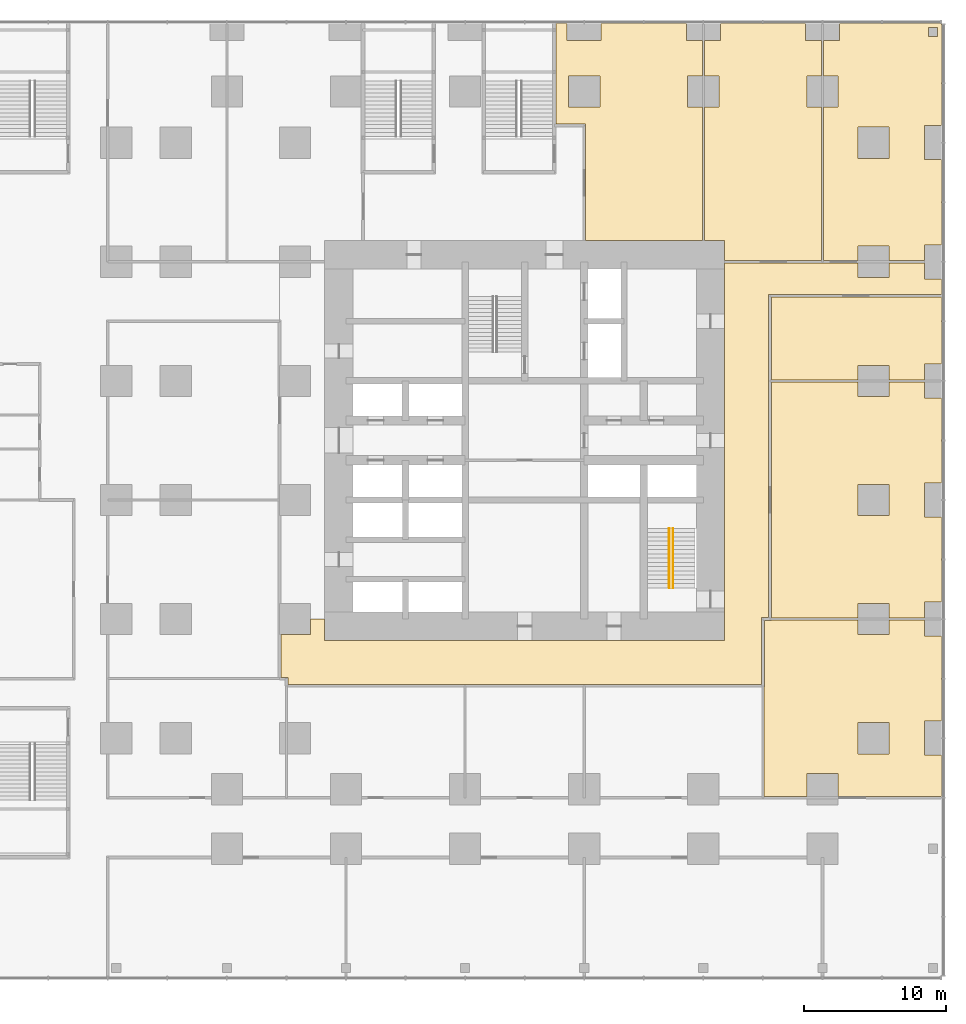
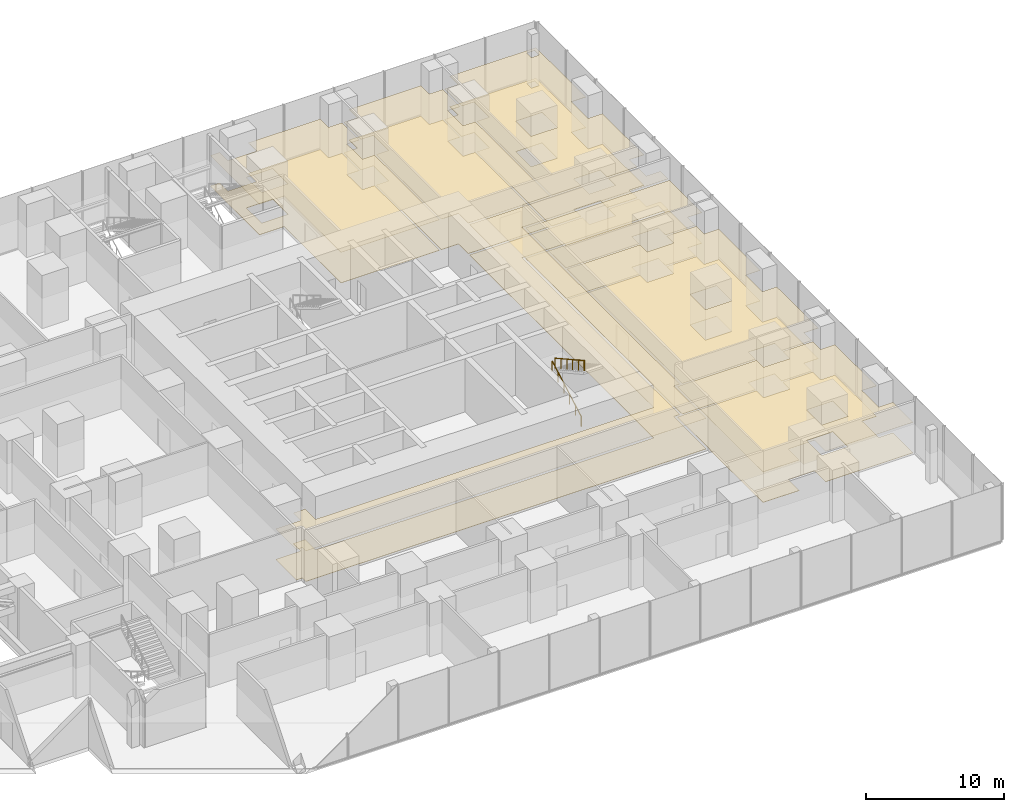
# One storey, part 33 of 33: 14 coverings, 2 railings.
"""IFC4 building model written with IfcOpenShell, lengths in metres."""

from ifc_helpers import new_model, si_unit, direction, frame, origin, origin_2d, place, context, subcontext, project, spatial, polyline, circle, outline, extrude, material, layer, layer_set, type_object, element, save


model = new_model("IFC4")

# Units and contexts
model_context = context("Model", 3, precision=1e-05, world=origin(), true_north=direction((0.0, 1.0)))
body_context = subcontext(model_context, "Body", "Model", "MODEL_VIEW")
ifc_project = project(units=[si_unit("LENGTHUNIT", "METRE"), si_unit("AREAUNIT", "SQUARE_METRE"), si_unit("VOLUMEUNIT", "CUBIC_METRE"), si_unit("PLANEANGLEUNIT", "RADIAN"), si_unit("MASSUNIT", "GRAM", prefix="KILO")], contexts=[model_context])

# Site, building, storey
site_placement = place(None, origin())
site = spatial("IfcSite", under=ifc_project, at=site_placement, CompositionType="ELEMENT")
building_placement = place(site_placement, origin())
building = spatial("IfcBuilding", under=site, at=building_placement, Name="Dunama Terrace Hotel", CompositionType="ELEMENT")
storey_placement = place(building_placement, frame((0.0, 0.0, 12.0)))
storey = spatial("IfcBuildingStorey", under=building, at=storey_placement, Name="L02", CompositionType="ELEMENT", Elevation=12.0)

# Railings
ifc_material_1 = material(Name="Stainless steel handrail", Category="steel")
railing_type = type_object("IfcRailingType", Name="Stair handrail 900", PredefinedType="HANDRAIL", material=ifc_material_1)
railing_1_placement = place(storey_placement, frame((39.60009765625, 19.0, 0.166748046875)))
element("IfcRailing", 1, at=railing_1_placement, inside=storey, type_object=railing_type, Name="Handrail ST2 L02", PredefinedType="HANDRAIL", context=body_context, shape_type="SweptSolid", body=[
    extrude(circle(Radius=0.02392578125, at=origin_2d()), frame((0.0, 0.0, 0.8759765625), z_axis=(0.0, 0.874162069901, 0.485634302275), x_axis=(-1.0, 0.0, 0.0)), (0.0, 0.0, 1.0), 4.804443359375),
    extrude(circle(Radius=0.02099609375, at=origin_2d()), origin(), (0.0, 0.0, 1.0), 0.851806640625),
    extrude(circle(Radius=0.02099609375, at=origin_2d()), frame((0.0, 0.840087890625, 0.466552734375)), (0.0, 0.0, 1.0), 0.851806640625),
    extrude(circle(Radius=0.02099609375, at=origin_2d()), frame((0.0, 1.679931640625, 0.933349609375)), (0.0, 0.0, 1.0), 0.851806640625),
    extrude(circle(Radius=0.02099609375, at=origin_2d()), frame((0.0, 2.52001953125, 1.39990234375)), (0.0, 0.0, 1.0), 0.851806640625),
    extrude(circle(Radius=0.02099609375, at=origin_2d()), frame((0.0, 3.35986328125, 1.86669921875)), (0.0, 0.0, 1.0), 0.851806640625),
    extrude(circle(Radius=0.02099609375, at=origin_2d()), frame((0.0, 4.199951171875, 2.333251953125)), (0.0, 0.0, 1.0), 0.851806640625),
])
railing_2_placement = place(storey_placement, frame((39.85009765625, 23.199951171875, 2.666748046875)))
element("IfcRailing", 2, at=railing_2_placement, inside=storey, type_object=railing_type, Name="Handrail ST2 L02", PredefinedType="HANDRAIL", context=body_context, shape_type="SweptSolid", body=[
    extrude(circle(Radius=0.02392578125, at=origin_2d()), frame((0.0, 0.0, 0.8759765625), z_axis=(0.0, -0.874162069901, 0.485634302275), x_axis=(1.0, 0.0, 0.0)), (0.0, 0.0, 1.0), 4.804443359375),
    extrude(circle(Radius=0.02099609375, at=origin_2d()), origin(), (0.0, 0.0, 1.0), 0.851806640625),
    extrude(circle(Radius=0.02099609375, at=origin_2d()), frame((0.0, -0.840087890625, 0.466552734375)), (0.0, 0.0, 1.0), 0.851806640625),
    extrude(circle(Radius=0.02099609375, at=origin_2d()), frame((0.0, -1.679931640625, 0.933349609375)), (0.0, 0.0, 1.0), 0.851806640625),
    extrude(circle(Radius=0.02099609375, at=origin_2d()), frame((0.0, -2.52001953125, 1.39990234375)), (0.0, 0.0, 1.0), 0.851806640625),
    extrude(circle(Radius=0.02099609375, at=origin_2d()), frame((0.0, -3.35986328125, 1.86669921875)), (0.0, 0.0, 1.0), 0.851806640625),
    extrude(circle(Radius=0.02099609375, at=origin_2d()), frame((0.0, -4.199951171875, 2.333251953125)), (0.0, 0.0, 1.0), 0.851806640625),
])

# Coverings
ifc_material_2 = material(Name="Natural stone floor tiles", Category="masonry")
ifc_layer_1 = layer(ifc_material_2, 0.030029296875)
ifc_layer_set_1 = layer_set([ifc_layer_1], Name="Stone floor finish 30")
covering_type_1 = type_object("IfcCoveringType", Name="Stone floor finish 30", PredefinedType="FLOORING", material=ifc_layer_set_1)
covering_1_placement = place(storey_placement, origin())
element("IfcCovering", 3, at=covering_1_placement, inside=storey, type_object=covering_type_1, Name="Floor finish L02-26", PredefinedType="FLOORING", context=body_context, shape_type="SweptSolid", body=[
    extrude(outline(polyline([(32.39990234375, 58.800048828125), (31.625, 58.800048828125), (31.625, 51.699951171875), (33.5, 51.699951171875), (33.60009765625, 51.699951171875), (33.699951171875, 51.699951171875), (33.699951171875, 51.5), (33.699951171875, 43.5), (41.5, 43.5), (41.925048828125, 43.5), (41.925048828125, 52.89990234375), (40.89990234375, 52.89990234375), (40.89990234375, 55.10009765625), (41.925048828125, 55.10009765625), (41.925048828125, 57.60009765625), (40.800048828125, 57.60009765625), (40.800048828125, 58.800048828125), (34.800048828125, 58.800048828125), (34.800048828125, 57.60009765625), (32.39990234375, 57.60009765625), (32.39990234375, 58.800048828125)]), holes=[polyline([(34.699951171875, 55.10009765625), (34.699951171875, 52.89990234375), (32.5, 52.89990234375), (32.5, 55.10009765625), (34.699951171875, 55.10009765625)])]), origin(), (0.0, 0.0, 1.0), 0.030029296875),
])
covering_2_placement = place(storey_placement, origin())
element("IfcCovering", 4, at=covering_2_placement, inside=storey, type_object=covering_type_1, Name="Floor finish L02-27", PredefinedType="FLOORING", context=body_context, shape_type="SweptSolid", body=[
    extrude(outline(polyline([(49.199951171875, 58.800048828125), (43.199951171875, 58.800048828125), (43.199951171875, 57.60009765625), (42.074951171875, 57.60009765625), (42.074951171875, 55.10009765625), (43.10009765625, 55.10009765625), (43.10009765625, 52.89990234375), (42.074951171875, 52.89990234375), (42.074951171875, 43.5), (42.5, 43.5), (43.5, 43.5), (43.5, 42.10009765625), (50.324951171875, 42.10009765625), (50.324951171875, 52.89990234375), (49.300048828125, 52.89990234375), (49.300048828125, 55.10009765625), (50.324951171875, 55.10009765625), (50.324951171875, 57.60009765625), (49.199951171875, 57.60009765625), (49.199951171875, 58.800048828125)])), origin(), (0.0, 0.0, 1.0), 0.030029296875),
])
covering_3_placement = place(storey_placement, origin())
element("IfcCovering", 5, at=covering_3_placement, inside=storey, type_object=covering_type_1, Name="Floor finish L02-28", PredefinedType="FLOORING", context=body_context, shape_type="SweptSolid", body=[
    extrude(outline(polyline([(58.800048828125, 58.800048828125), (51.60009765625, 58.800048828125), (51.60009765625, 57.60009765625), (50.47509765625, 57.60009765625), (50.47509765625, 55.10009765625), (51.5, 55.10009765625), (51.5, 52.89990234375), (50.47509765625, 52.89990234375), (50.47509765625, 42.10009765625), (52.89990234375, 42.10009765625), (52.89990234375, 43.10009765625), (55.10009765625, 43.10009765625), (55.10009765625, 42.10009765625), (57.60009765625, 42.10009765625), (57.60009765625, 43.199951171875), (58.800048828125, 43.199951171875), (58.800048828125, 49.199951171875), (57.60009765625, 49.199951171875), (57.60009765625, 51.60009765625), (58.800048828125, 51.60009765625), (58.800048828125, 58.800048828125)]), holes=[polyline([(55.10009765625, 51.5), (55.10009765625, 49.300048828125), (52.89990234375, 49.300048828125), (52.89990234375, 51.5), (55.10009765625, 51.5)]), polyline([(58.52490234375, 58.52490234375), (58.52490234375, 57.875), (57.875, 57.875), (57.875, 58.52490234375), (58.52490234375, 58.52490234375)])]), origin(), (0.0, 0.0, 1.0), 0.030029296875),
])
covering_4_placement = place(storey_placement, origin())
element("IfcCovering", 6, at=covering_4_placement, inside=storey, type_object=covering_type_1, Name="Floor finish L02-29", PredefinedType="FLOORING", context=body_context, shape_type="SweptSolid", body=[
    extrude(outline(polyline([(58.800048828125, 26.39990234375), (58.800048828125, 32.39990234375), (57.60009765625, 32.39990234375), (57.60009765625, 33.52490234375), (55.10009765625, 33.52490234375), (55.10009765625, 32.5), (52.89990234375, 32.5), (52.89990234375, 33.52490234375), (46.800048828125, 33.52490234375), (46.800048828125, 16.89990234375), (46.800048828125, 16.875), (52.89990234375, 16.875), (52.89990234375, 17.89990234375), (55.10009765625, 17.89990234375), (55.10009765625, 16.875), (57.60009765625, 16.875), (57.60009765625, 18.0), (58.800048828125, 18.0), (58.800048828125, 24.0), (57.60009765625, 24.0), (57.60009765625, 26.39990234375), (58.800048828125, 26.39990234375)]), holes=[polyline([(52.89990234375, 26.300048828125), (55.10009765625, 26.300048828125), (55.10009765625, 24.10009765625), (52.89990234375, 24.10009765625), (52.89990234375, 26.300048828125)])]), origin(), (0.0, 0.0, 1.0), 0.030029296875),
])
covering_5_placement = place(storey_placement, origin())
element("IfcCovering", 7, at=covering_5_placement, inside=storey, type_object=covering_type_1, Name="Floor finish L02-43", PredefinedType="FLOORING", context=body_context, shape_type="SweptSolid", body=[
    extrude(outline(polyline([(58.800048828125, 9.60009765625), (58.800048828125, 15.60009765625), (57.60009765625, 15.60009765625), (57.60009765625, 16.72509765625), (55.10009765625, 16.72509765625), (55.10009765625, 15.699951171875), (52.89990234375, 15.699951171875), (52.89990234375, 16.72509765625), (46.800048828125, 16.72509765625), (46.800048828125, 16.699951171875), (46.60009765625, 16.699951171875), (46.300048828125, 16.699951171875), (46.300048828125, 12.199951171875), (46.300048828125, 12.10009765625), (46.300048828125, 12.0), (46.27490234375, 12.0), (46.27490234375, 4.300048828125), (46.300048828125, 4.300048828125), (49.300048828125, 4.300048828125), (49.300048828125, 5.89990234375), (51.5, 5.89990234375), (51.5, 4.300048828125), (58.800048828125, 4.300048828125), (58.800048828125, 7.199951171875), (57.60009765625, 7.199951171875), (57.60009765625, 9.60009765625), (58.800048828125, 9.60009765625)]), holes=[polyline([(55.10009765625, 9.5), (55.10009765625, 7.300048828125), (52.89990234375, 7.300048828125), (52.89990234375, 9.5), (55.10009765625, 9.5)])]), origin(), (0.0, 0.0, 1.0), 0.030029296875),
])
covering_6_placement = place(storey_placement, origin())
element("IfcCovering", 8, at=covering_6_placement, inside=storey, type_object=covering_type_1, Name="Floor finish L02-44", PredefinedType="FLOORING", context=body_context, shape_type="SweptSolid", body=[
    extrude(outline(polyline([(58.800048828125, 34.800048828125), (58.800048828125, 39.5), (46.800048828125, 39.5), (46.800048828125, 33.675048828125), (52.89990234375, 33.675048828125), (52.89990234375, 34.699951171875), (55.10009765625, 34.699951171875), (55.10009765625, 33.675048828125), (57.60009765625, 33.675048828125), (57.60009765625, 34.800048828125), (58.800048828125, 34.800048828125)])), origin(), (0.0, 0.0, 1.0), 0.030029296875),
])
covering_7_placement = place(storey_placement, origin())
element("IfcCovering", 9, at=covering_7_placement, inside=storey, type_object=covering_type_1, Name="Floor finish L02-47", PredefinedType="FLOORING", context=body_context, shape_type="SweptSolid", body=[
    extrude(outline(polyline([(15.300048828125, 16.800048828125), (14.300048828125, 16.800048828125), (14.300048828125, 15.699951171875), (12.199951171875, 15.699951171875), (12.199951171875, 12.699951171875), (12.5, 12.699951171875), (12.60009765625, 12.699951171875), (12.699951171875, 12.699951171875), (12.699951171875, 12.5), (12.699951171875, 12.199951171875), (46.10009765625, 12.199951171875), (46.10009765625, 16.699951171875), (46.10009765625, 16.800048828125), (46.10009765625, 16.89990234375), (46.300048828125, 16.89990234375), (46.60009765625, 16.89990234375), (46.60009765625, 39.5), (46.60009765625, 39.60009765625), (46.60009765625, 39.699951171875), (46.800048828125, 39.699951171875), (58.800048828125, 39.699951171875), (58.800048828125, 40.800048828125), (57.60009765625, 40.800048828125), (57.60009765625, 41.89990234375), (55.10009765625, 41.89990234375), (55.10009765625, 40.89990234375), (52.89990234375, 40.89990234375), (52.89990234375, 41.89990234375), (43.5, 41.89990234375), (43.5, 41.5), (43.5, 17.300048828125), (43.5, 16.300048828125), (43.5, 15.300048828125), (41.5, 15.300048828125), (17.300048828125, 15.300048828125), (16.300048828125, 15.300048828125), (15.300048828125, 15.300048828125), (15.300048828125, 16.800048828125)])), origin(), (0.0, 0.0, 1.0), 0.030029296875),
])
ifc_material_3 = material(Name="Gypsum plasterboard ceiling")
ifc_layer_2 = layer(ifc_material_3, 0.02001953125)
ifc_layer_set_2 = layer_set([ifc_layer_2], Name="Suspended ceiling 20")
covering_type_2 = type_object("IfcCoveringType", Name="Suspended ceiling 20", PredefinedType="CEILING", material=ifc_layer_set_2)
covering_8_placement = place(storey_placement, frame((0.0, 0.0, 2.699951171875)))
element("IfcCovering", 10, at=covering_8_placement, inside=storey, type_object=covering_type_2, Name="Ceiling L02-26", PredefinedType="CEILING", context=body_context, shape_type="SweptSolid", body=[
    extrude(outline(polyline([(32.39990234375, 57.60009765625), (32.39990234375, 58.800048828125), (31.625, 58.800048828125), (31.625, 51.699951171875), (33.5, 51.699951171875), (33.60009765625, 51.699951171875), (33.699951171875, 51.699951171875), (33.699951171875, 51.5), (33.699951171875, 43.5), (41.5, 43.5), (41.925048828125, 43.5), (41.925048828125, 52.89990234375), (40.89990234375, 52.89990234375), (40.89990234375, 55.10009765625), (41.925048828125, 55.10009765625), (41.925048828125, 57.60009765625), (40.800048828125, 57.60009765625), (40.800048828125, 58.800048828125), (34.800048828125, 58.800048828125), (34.800048828125, 57.60009765625), (32.39990234375, 57.60009765625)]), holes=[polyline([(32.5, 55.10009765625), (34.699951171875, 55.10009765625), (34.699951171875, 52.89990234375), (32.5, 52.89990234375), (32.5, 55.10009765625)])]), origin(), (0.0, 0.0, 1.0), 0.02001953125),
])
covering_9_placement = place(storey_placement, frame((0.0, 0.0, 2.699951171875)))
element("IfcCovering", 11, at=covering_9_placement, inside=storey, type_object=covering_type_2, Name="Ceiling L02-27", PredefinedType="CEILING", context=body_context, shape_type="SweptSolid", body=[
    extrude(outline(polyline([(49.199951171875, 57.60009765625), (49.199951171875, 58.800048828125), (43.199951171875, 58.800048828125), (43.199951171875, 57.60009765625), (42.074951171875, 57.60009765625), (42.074951171875, 55.10009765625), (43.10009765625, 55.10009765625), (43.10009765625, 52.89990234375), (42.074951171875, 52.89990234375), (42.074951171875, 43.5), (42.5, 43.5), (43.5, 43.5), (43.5, 42.10009765625), (50.324951171875, 42.10009765625), (50.324951171875, 52.89990234375), (49.300048828125, 52.89990234375), (49.300048828125, 55.10009765625), (50.324951171875, 55.10009765625), (50.324951171875, 57.60009765625), (49.199951171875, 57.60009765625)])), origin(), (0.0, 0.0, 1.0), 0.02001953125),
])
covering_10_placement = place(storey_placement, frame((0.0, 0.0, 2.699951171875)))
element("IfcCovering", 12, at=covering_10_placement, inside=storey, type_object=covering_type_2, Name="Ceiling L02-28", PredefinedType="CEILING", context=body_context, shape_type="SweptSolid", body=[
    extrude(outline(polyline([(58.800048828125, 51.60009765625), (58.800048828125, 58.800048828125), (51.60009765625, 58.800048828125), (51.60009765625, 57.60009765625), (50.47509765625, 57.60009765625), (50.47509765625, 55.10009765625), (51.5, 55.10009765625), (51.5, 52.89990234375), (50.47509765625, 52.89990234375), (50.47509765625, 42.10009765625), (52.89990234375, 42.10009765625), (52.89990234375, 43.10009765625), (55.10009765625, 43.10009765625), (55.10009765625, 42.10009765625), (57.60009765625, 42.10009765625), (57.60009765625, 43.199951171875), (58.800048828125, 43.199951171875), (58.800048828125, 49.199951171875), (57.60009765625, 49.199951171875), (57.60009765625, 51.60009765625), (58.800048828125, 51.60009765625)]), holes=[polyline([(52.89990234375, 51.5), (55.10009765625, 51.5), (55.10009765625, 49.300048828125), (52.89990234375, 49.300048828125), (52.89990234375, 51.5)]), polyline([(57.875, 58.52490234375), (58.52490234375, 58.52490234375), (58.52490234375, 57.875), (57.875, 57.875), (57.875, 58.52490234375)])]), origin(), (0.0, 0.0, 1.0), 0.02001953125),
])
covering_11_placement = place(storey_placement, frame((0.0, 0.0, 2.699951171875)))
element("IfcCovering", 13, at=covering_11_placement, inside=storey, type_object=covering_type_2, Name="Ceiling L02-29", PredefinedType="CEILING", context=body_context, shape_type="SweptSolid", body=[
    extrude(outline(polyline([(57.60009765625, 26.39990234375), (58.800048828125, 26.39990234375), (58.800048828125, 32.39990234375), (57.60009765625, 32.39990234375), (57.60009765625, 33.52490234375), (55.10009765625, 33.52490234375), (55.10009765625, 32.5), (52.89990234375, 32.5), (52.89990234375, 33.52490234375), (46.800048828125, 33.52490234375), (46.800048828125, 16.89990234375), (46.800048828125, 16.875), (52.89990234375, 16.875), (52.89990234375, 17.89990234375), (55.10009765625, 17.89990234375), (55.10009765625, 16.875), (57.60009765625, 16.875), (57.60009765625, 18.0), (58.800048828125, 18.0), (58.800048828125, 24.0), (57.60009765625, 24.0), (57.60009765625, 26.39990234375)]), holes=[polyline([(52.89990234375, 24.10009765625), (52.89990234375, 26.300048828125), (55.10009765625, 26.300048828125), (55.10009765625, 24.10009765625), (52.89990234375, 24.10009765625)])]), origin(), (0.0, 0.0, 1.0), 0.02001953125),
])
covering_12_placement = place(storey_placement, frame((0.0, 0.0, 2.699951171875)))
element("IfcCovering", 14, at=covering_12_placement, inside=storey, type_object=covering_type_2, Name="Ceiling L02-43", PredefinedType="CEILING", context=body_context, shape_type="SweptSolid", body=[
    extrude(outline(polyline([(57.60009765625, 9.60009765625), (58.800048828125, 9.60009765625), (58.800048828125, 15.60009765625), (57.60009765625, 15.60009765625), (57.60009765625, 16.72509765625), (55.10009765625, 16.72509765625), (55.10009765625, 15.699951171875), (52.89990234375, 15.699951171875), (52.89990234375, 16.72509765625), (46.800048828125, 16.72509765625), (46.800048828125, 16.699951171875), (46.60009765625, 16.699951171875), (46.300048828125, 16.699951171875), (46.300048828125, 12.199951171875), (46.300048828125, 12.10009765625), (46.300048828125, 12.0), (46.27490234375, 12.0), (46.27490234375, 4.300048828125), (46.300048828125, 4.300048828125), (49.300048828125, 4.300048828125), (49.300048828125, 5.89990234375), (51.5, 5.89990234375), (51.5, 4.300048828125), (58.800048828125, 4.300048828125), (58.800048828125, 7.199951171875), (57.60009765625, 7.199951171875), (57.60009765625, 9.60009765625)]), holes=[polyline([(52.89990234375, 9.5), (55.10009765625, 9.5), (55.10009765625, 7.300048828125), (52.89990234375, 7.300048828125), (52.89990234375, 9.5)])]), origin(), (0.0, 0.0, 1.0), 0.02001953125),
])
covering_13_placement = place(storey_placement, frame((0.0, 0.0, 2.699951171875)))
element("IfcCovering", 15, at=covering_13_placement, inside=storey, type_object=covering_type_2, Name="Ceiling L02-44", PredefinedType="CEILING", context=body_context, shape_type="SweptSolid", body=[
    extrude(outline(polyline([(57.60009765625, 34.800048828125), (58.800048828125, 34.800048828125), (58.800048828125, 39.5), (46.800048828125, 39.5), (46.800048828125, 33.675048828125), (52.89990234375, 33.675048828125), (52.89990234375, 34.699951171875), (55.10009765625, 34.699951171875), (55.10009765625, 33.675048828125), (57.60009765625, 33.675048828125), (57.60009765625, 34.800048828125)])), origin(), (0.0, 0.0, 1.0), 0.02001953125),
])
covering_14_placement = place(storey_placement, frame((0.0, 0.0, 2.699951171875)))
element("IfcCovering", 16, at=covering_14_placement, inside=storey, type_object=covering_type_2, Name="Ceiling L02-47", PredefinedType="CEILING", context=body_context, shape_type="SweptSolid", body=[
    extrude(outline(polyline([(15.300048828125, 15.300048828125), (15.300048828125, 16.800048828125), (14.300048828125, 16.800048828125), (14.300048828125, 15.699951171875), (12.199951171875, 15.699951171875), (12.199951171875, 12.699951171875), (12.5, 12.699951171875), (12.60009765625, 12.699951171875), (12.699951171875, 12.699951171875), (12.699951171875, 12.5), (12.699951171875, 12.199951171875), (46.10009765625, 12.199951171875), (46.10009765625, 16.699951171875), (46.10009765625, 16.800048828125), (46.10009765625, 16.89990234375), (46.300048828125, 16.89990234375), (46.60009765625, 16.89990234375), (46.60009765625, 39.5), (46.60009765625, 39.60009765625), (46.60009765625, 39.699951171875), (46.800048828125, 39.699951171875), (58.800048828125, 39.699951171875), (58.800048828125, 40.800048828125), (57.60009765625, 40.800048828125), (57.60009765625, 41.89990234375), (55.10009765625, 41.89990234375), (55.10009765625, 40.89990234375), (52.89990234375, 40.89990234375), (52.89990234375, 41.89990234375), (43.5, 41.89990234375), (43.5, 41.5), (43.5, 17.300048828125), (43.5, 16.300048828125), (43.5, 15.300048828125), (41.5, 15.300048828125), (17.300048828125, 15.300048828125), (16.300048828125, 15.300048828125), (15.300048828125, 15.300048828125)])), origin(), (0.0, 0.0, 1.0), 0.02001953125),
])

save(model, "model.ifc")
